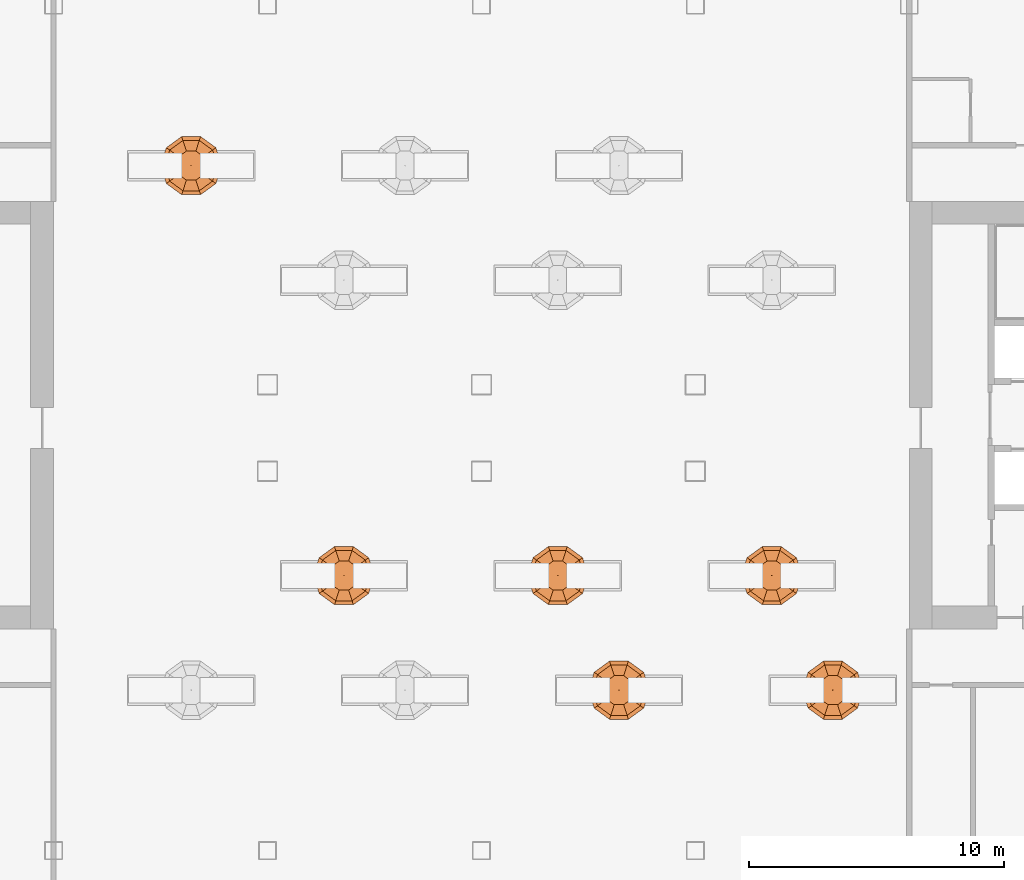
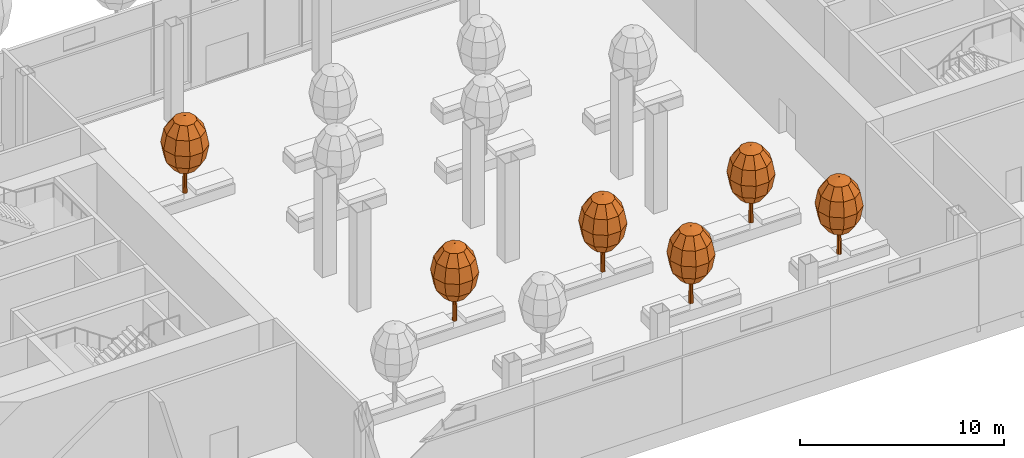
# One storey, part 39 of 43: 6 geographic elements.
"""IFC4 building model written with IfcOpenShell, lengths in metres."""

from ifc_helpers import new_model, si_unit, direction, frame, origin, place, context, subcontext, project, spatial, triangles, material, type_object, element, save


model = new_model("IFC4")

# Units and contexts
model_context = context("Model", 3, precision=1e-05, world=origin(), true_north=direction((0.0, 1.0)))
body_context = subcontext(model_context, "Body", "Model", "MODEL_VIEW")
ifc_project = project(units=[si_unit("LENGTHUNIT", "METRE"), si_unit("AREAUNIT", "SQUARE_METRE"), si_unit("VOLUMEUNIT", "CUBIC_METRE"), si_unit("PLANEANGLEUNIT", "RADIAN"), si_unit("MASSUNIT", "GRAM", prefix="KILO")], contexts=[model_context])

# Site, building, storey
site_placement = place(None, origin())
site = spatial("IfcSite", under=ifc_project, at=site_placement, CompositionType="ELEMENT")
building_placement = place(site_placement, origin())
building = spatial("IfcBuilding", under=site, at=building_placement, Name="Hakoniwa Tower and Hamabe Station Hall", CompositionType="ELEMENT")
storey_placement = place(building_placement, frame((0.0, 0.0, 124.60009765625)))
storey = spatial("IfcBuildingStorey", under=building, at=storey_placement, Name="L35", CompositionType="ELEMENT", Elevation=124.60009765625)

# Geographic elements
ifc_material = material(Name="Tree foliage")
geographic_element_type = type_object("IfcGeographicElementType", Name="Camellia 4.6 m", PredefinedType="USERDEFINED", material=ifc_material)
geographic_element_1_placement = place(storey_placement, frame((-11.39990234375, 9.800048828125, 0.599853515625)))
element("IfcGeographicElement", 1, at=geographic_element_1_placement, inside=storey, type_object=geographic_element_type, Name="Camellia 4-6 m", ObjectType="TREE", PredefinedType="USERDEFINED", context=body_context, shape_type="Tessellation", body=[
    triangles([(0.125, 0.0, 0.0), (0.08837890625, 0.08837890625, 0.0), (0.0, 0.125, 0.0), (-0.08837890625, 0.08837890625, 0.0), (-0.125, 0.0, 0.0), (-0.08837890625, -0.08837890625, 0.0), (0.0, -0.125, 0.0), (0.08837890625, -0.08837890625, 0.0), (0.074951171875, 0.0, 2.778564453125), (0.052978515625, 0.052978515625, 2.778564453125), (0.0, 0.074951171875, 2.778564453125), (-0.052978515625, 0.052978515625, 2.778564453125), (-0.074951171875, 0.0, 2.778564453125), (-0.052978515625, -0.052978515625, 2.778564453125), (0.0, -0.074951171875, 2.778564453125), (0.052978515625, -0.052978515625, 2.778564453125), (0.0, 0.0, 0.0), (0.0, 0.0, 2.778564453125)], [[1, 2, 10], [1, 10, 9], [17, 2, 1], [18, 9, 10], [2, 3, 11], [2, 11, 10], [17, 3, 2], [18, 10, 11], [3, 4, 12], [3, 12, 11], [17, 4, 3], [18, 11, 12], [4, 5, 13], [4, 13, 12], [17, 5, 4], [18, 12, 13], [5, 6, 14], [5, 14, 13], [17, 6, 5], [18, 13, 14], [6, 7, 15], [6, 15, 14], [17, 7, 6], [18, 14, 15], [7, 8, 16], [7, 16, 15], [17, 8, 7], [18, 15, 16], [8, 1, 9], [8, 9, 16], [17, 1, 8], [18, 16, 9]], closed=True),
    triangles([(0.0, 0.0, 1.2880859375), (0.599853515625, 0.0, 1.510009765625), (0.4853515625, 0.3525390625, 1.510009765625), (0.185302734375, 0.570556640625, 1.510009765625), (-0.185302734375, 0.570556640625, 1.510009765625), (-0.4853515625, 0.3525390625, 1.510009765625), (-0.599853515625, 0.0, 1.510009765625), (-0.4853515625, -0.3525390625, 1.510009765625), (-0.185302734375, -0.570556640625, 1.510009765625), (0.185302734375, -0.570556640625, 1.510009765625), (0.4853515625, -0.3525390625, 1.510009765625), (1.039306640625, 0.0, 2.115966796875), (0.8408203125, 0.61083984375, 2.115966796875), (0.321044921875, 0.98828125, 2.115966796875), (-0.321044921875, 0.98828125, 2.115966796875), (-0.8408203125, 0.61083984375, 2.115966796875), (-1.039306640625, 0.0, 2.115966796875), (-0.8408203125, -0.61083984375, 2.115966796875), (-0.321044921875, -0.98828125, 2.115966796875), (0.321044921875, -0.98828125, 2.115966796875), (0.8408203125, -0.61083984375, 2.115966796875), (1.199951171875, 0.0, 2.944091796875), (0.970703125, 0.705322265625, 2.944091796875), (0.370849609375, 1.14111328125, 2.944091796875), (-0.370849609375, 1.14111328125, 2.944091796875), (-0.970703125, 0.705322265625, 2.944091796875), (-1.199951171875, 0.0, 2.944091796875), (-0.970703125, -0.705322265625, 2.944091796875), (-0.370849609375, -1.14111328125, 2.944091796875), (0.370849609375, -1.14111328125, 2.944091796875), (0.970703125, -0.705322265625, 2.944091796875), (1.039306640625, 0.0, 3.77197265625), (0.8408203125, 0.61083984375, 3.77197265625), (0.321044921875, 0.98828125, 3.77197265625), (-0.321044921875, 0.98828125, 3.77197265625), (-0.8408203125, 0.61083984375, 3.77197265625), (-1.039306640625, 0.0, 3.77197265625), (-0.8408203125, -0.61083984375, 3.77197265625), (-0.321044921875, -0.98828125, 3.77197265625), (0.321044921875, -0.98828125, 3.77197265625), (0.8408203125, -0.61083984375, 3.77197265625), (0.599853515625, 0.0, 4.378173828125), (0.4853515625, 0.3525390625, 4.378173828125), (0.185302734375, 0.570556640625, 4.378173828125), (-0.185302734375, 0.570556640625, 4.378173828125), (-0.4853515625, 0.3525390625, 4.378173828125), (-0.599853515625, 0.0, 4.378173828125), (-0.4853515625, -0.3525390625, 4.378173828125), (-0.185302734375, -0.570556640625, 4.378173828125), (0.185302734375, -0.570556640625, 4.378173828125), (0.4853515625, -0.3525390625, 4.378173828125), (0.0, 0.0, 4.60009765625)], [[1, 3, 2], [1, 4, 3], [1, 5, 4], [1, 6, 5], [1, 7, 6], [1, 8, 7], [1, 9, 8], [1, 10, 9], [1, 11, 10], [1, 2, 11], [2, 3, 13], [2, 13, 12], [3, 4, 14], [3, 14, 13], [4, 5, 15], [4, 15, 14], [5, 6, 16], [5, 16, 15], [6, 7, 17], [6, 17, 16], [7, 8, 18], [7, 18, 17], [8, 9, 19], [8, 19, 18], [9, 10, 20], [9, 20, 19], [10, 11, 21], [10, 21, 20], [11, 2, 12], [11, 12, 21], [12, 13, 23], [12, 23, 22], [13, 14, 24], [13, 24, 23], [14, 15, 25], [14, 25, 24], [15, 16, 26], [15, 26, 25], [16, 17, 27], [16, 27, 26], [17, 18, 28], [17, 28, 27], [18, 19, 29], [18, 29, 28], [19, 20, 30], [19, 30, 29], [20, 21, 31], [20, 31, 30], [21, 12, 22], [21, 22, 31], [22, 23, 33], [22, 33, 32], [23, 24, 34], [23, 34, 33], [24, 25, 35], [24, 35, 34], [25, 26, 36], [25, 36, 35], [26, 27, 37], [26, 37, 36], [27, 28, 38], [27, 38, 37], [28, 29, 39], [28, 39, 38], [29, 30, 40], [29, 40, 39], [30, 31, 41], [30, 41, 40], [31, 22, 32], [31, 32, 41], [32, 33, 43], [32, 43, 42], [33, 34, 44], [33, 44, 43], [34, 35, 45], [34, 45, 44], [35, 36, 46], [35, 46, 45], [36, 37, 47], [36, 47, 46], [37, 38, 48], [37, 48, 47], [38, 39, 49], [38, 49, 48], [39, 40, 50], [39, 50, 49], [40, 41, 51], [40, 51, 50], [41, 32, 42], [41, 42, 51], [52, 42, 43], [52, 43, 44], [52, 44, 45], [52, 45, 46], [52, 46, 47], [52, 47, 48], [52, 48, 49], [52, 49, 50], [52, 50, 51], [52, 51, 42]], closed=True),
])
geographic_element_2_placement = place(storey_placement, frame((-5.39990234375, -6.300048828125, 0.599853515625)))
element("IfcGeographicElement", 2, at=geographic_element_2_placement, inside=storey, type_object=geographic_element_type, Name="Camellia 4-6 m", ObjectType="TREE", PredefinedType="USERDEFINED", context=body_context, shape_type="Tessellation", body=[
    triangles([(0.125, 0.0, 0.0), (0.08837890625, 0.08837890625, 0.0), (0.0, 0.125, 0.0), (-0.08837890625, 0.08837890625, 0.0), (-0.125, 0.0, 0.0), (-0.08837890625, -0.08837890625, 0.0), (0.0, -0.125, 0.0), (0.08837890625, -0.08837890625, 0.0), (0.074951171875, 0.0, 2.778564453125), (0.052978515625, 0.052978515625, 2.778564453125), (0.0, 0.074951171875, 2.778564453125), (-0.052978515625, 0.052978515625, 2.778564453125), (-0.074951171875, 0.0, 2.778564453125), (-0.052978515625, -0.052978515625, 2.778564453125), (0.0, -0.074951171875, 2.778564453125), (0.052978515625, -0.052978515625, 2.778564453125), (0.0, 0.0, 0.0), (0.0, 0.0, 2.778564453125)], [[1, 2, 10], [1, 10, 9], [17, 2, 1], [18, 9, 10], [2, 3, 11], [2, 11, 10], [17, 3, 2], [18, 10, 11], [3, 4, 12], [3, 12, 11], [17, 4, 3], [18, 11, 12], [4, 5, 13], [4, 13, 12], [17, 5, 4], [18, 12, 13], [5, 6, 14], [5, 14, 13], [17, 6, 5], [18, 13, 14], [6, 7, 15], [6, 15, 14], [17, 7, 6], [18, 14, 15], [7, 8, 16], [7, 16, 15], [17, 8, 7], [18, 15, 16], [8, 1, 9], [8, 9, 16], [17, 1, 8], [18, 16, 9]], closed=True),
    triangles([(0.0, 0.0, 1.2880859375), (0.599853515625, 0.0, 1.510009765625), (0.4853515625, 0.3525390625, 1.510009765625), (0.185302734375, 0.570556640625, 1.510009765625), (-0.185302734375, 0.570556640625, 1.510009765625), (-0.4853515625, 0.3525390625, 1.510009765625), (-0.599853515625, 0.0, 1.510009765625), (-0.4853515625, -0.3525390625, 1.510009765625), (-0.185302734375, -0.570556640625, 1.510009765625), (0.185302734375, -0.570556640625, 1.510009765625), (0.4853515625, -0.3525390625, 1.510009765625), (1.039306640625, 0.0, 2.115966796875), (0.8408203125, 0.61083984375, 2.115966796875), (0.321044921875, 0.98828125, 2.115966796875), (-0.321044921875, 0.98828125, 2.115966796875), (-0.8408203125, 0.61083984375, 2.115966796875), (-1.039306640625, 0.0, 2.115966796875), (-0.8408203125, -0.61083984375, 2.115966796875), (-0.321044921875, -0.98828125, 2.115966796875), (0.321044921875, -0.98828125, 2.115966796875), (0.8408203125, -0.61083984375, 2.115966796875), (1.199951171875, 0.0, 2.944091796875), (0.970703125, 0.705322265625, 2.944091796875), (0.370849609375, 1.14111328125, 2.944091796875), (-0.370849609375, 1.14111328125, 2.944091796875), (-0.970703125, 0.705322265625, 2.944091796875), (-1.199951171875, 0.0, 2.944091796875), (-0.970703125, -0.705322265625, 2.944091796875), (-0.370849609375, -1.14111328125, 2.944091796875), (0.370849609375, -1.14111328125, 2.944091796875), (0.970703125, -0.705322265625, 2.944091796875), (1.039306640625, 0.0, 3.77197265625), (0.8408203125, 0.61083984375, 3.77197265625), (0.321044921875, 0.98828125, 3.77197265625), (-0.321044921875, 0.98828125, 3.77197265625), (-0.8408203125, 0.61083984375, 3.77197265625), (-1.039306640625, 0.0, 3.77197265625), (-0.8408203125, -0.61083984375, 3.77197265625), (-0.321044921875, -0.98828125, 3.77197265625), (0.321044921875, -0.98828125, 3.77197265625), (0.8408203125, -0.61083984375, 3.77197265625), (0.599853515625, 0.0, 4.378173828125), (0.4853515625, 0.3525390625, 4.378173828125), (0.185302734375, 0.570556640625, 4.378173828125), (-0.185302734375, 0.570556640625, 4.378173828125), (-0.4853515625, 0.3525390625, 4.378173828125), (-0.599853515625, 0.0, 4.378173828125), (-0.4853515625, -0.3525390625, 4.378173828125), (-0.185302734375, -0.570556640625, 4.378173828125), (0.185302734375, -0.570556640625, 4.378173828125), (0.4853515625, -0.3525390625, 4.378173828125), (0.0, 0.0, 4.60009765625)], [[1, 3, 2], [1, 4, 3], [1, 5, 4], [1, 6, 5], [1, 7, 6], [1, 8, 7], [1, 9, 8], [1, 10, 9], [1, 11, 10], [1, 2, 11], [2, 3, 13], [2, 13, 12], [3, 4, 14], [3, 14, 13], [4, 5, 15], [4, 15, 14], [5, 6, 16], [5, 16, 15], [6, 7, 17], [6, 17, 16], [7, 8, 18], [7, 18, 17], [8, 9, 19], [8, 19, 18], [9, 10, 20], [9, 20, 19], [10, 11, 21], [10, 21, 20], [11, 2, 12], [11, 12, 21], [12, 13, 23], [12, 23, 22], [13, 14, 24], [13, 24, 23], [14, 15, 25], [14, 25, 24], [15, 16, 26], [15, 26, 25], [16, 17, 27], [16, 27, 26], [17, 18, 28], [17, 28, 27], [18, 19, 29], [18, 29, 28], [19, 20, 30], [19, 30, 29], [20, 21, 31], [20, 31, 30], [21, 12, 22], [21, 22, 31], [22, 23, 33], [22, 33, 32], [23, 24, 34], [23, 34, 33], [24, 25, 35], [24, 35, 34], [25, 26, 36], [25, 36, 35], [26, 27, 37], [26, 37, 36], [27, 28, 38], [27, 38, 37], [28, 29, 39], [28, 39, 38], [29, 30, 40], [29, 40, 39], [30, 31, 41], [30, 41, 40], [31, 22, 32], [31, 32, 41], [32, 33, 43], [32, 43, 42], [33, 34, 44], [33, 44, 43], [34, 35, 45], [34, 45, 44], [35, 36, 46], [35, 46, 45], [36, 37, 47], [36, 47, 46], [37, 38, 48], [37, 48, 47], [38, 39, 49], [38, 49, 48], [39, 40, 50], [39, 50, 49], [40, 41, 51], [40, 51, 50], [41, 32, 42], [41, 42, 51], [52, 42, 43], [52, 43, 44], [52, 44, 45], [52, 45, 46], [52, 46, 47], [52, 47, 48], [52, 48, 49], [52, 49, 50], [52, 50, 51], [52, 51, 42]], closed=True),
])
geographic_element_3_placement = place(storey_placement, frame((3.0, -6.300048828125, 0.599853515625)))
element("IfcGeographicElement", 3, at=geographic_element_3_placement, inside=storey, type_object=geographic_element_type, Name="Camellia 4-6 m", ObjectType="TREE", PredefinedType="USERDEFINED", context=body_context, shape_type="Tessellation", body=[
    triangles([(0.125, 0.0, 0.0), (0.08837890625, 0.08837890625, 0.0), (0.0, 0.125, 0.0), (-0.08837890625, 0.08837890625, 0.0), (-0.125, 0.0, 0.0), (-0.08837890625, -0.08837890625, 0.0), (0.0, -0.125, 0.0), (0.08837890625, -0.08837890625, 0.0), (0.074951171875, 0.0, 2.778564453125), (0.052978515625, 0.052978515625, 2.778564453125), (0.0, 0.074951171875, 2.778564453125), (-0.052978515625, 0.052978515625, 2.778564453125), (-0.074951171875, 0.0, 2.778564453125), (-0.052978515625, -0.052978515625, 2.778564453125), (0.0, -0.074951171875, 2.778564453125), (0.052978515625, -0.052978515625, 2.778564453125), (0.0, 0.0, 0.0), (0.0, 0.0, 2.778564453125)], [[1, 2, 10], [1, 10, 9], [17, 2, 1], [18, 9, 10], [2, 3, 11], [2, 11, 10], [17, 3, 2], [18, 10, 11], [3, 4, 12], [3, 12, 11], [17, 4, 3], [18, 11, 12], [4, 5, 13], [4, 13, 12], [17, 5, 4], [18, 12, 13], [5, 6, 14], [5, 14, 13], [17, 6, 5], [18, 13, 14], [6, 7, 15], [6, 15, 14], [17, 7, 6], [18, 14, 15], [7, 8, 16], [7, 16, 15], [17, 8, 7], [18, 15, 16], [8, 1, 9], [8, 9, 16], [17, 1, 8], [18, 16, 9]], closed=True),
    triangles([(0.0, 0.0, 1.2880859375), (0.599853515625, 0.0, 1.510009765625), (0.4853515625, 0.3525390625, 1.510009765625), (0.185302734375, 0.570556640625, 1.510009765625), (-0.185302734375, 0.570556640625, 1.510009765625), (-0.4853515625, 0.3525390625, 1.510009765625), (-0.599853515625, 0.0, 1.510009765625), (-0.4853515625, -0.3525390625, 1.510009765625), (-0.185302734375, -0.570556640625, 1.510009765625), (0.185302734375, -0.570556640625, 1.510009765625), (0.4853515625, -0.3525390625, 1.510009765625), (1.039306640625, 0.0, 2.115966796875), (0.8408203125, 0.61083984375, 2.115966796875), (0.321044921875, 0.98828125, 2.115966796875), (-0.321044921875, 0.98828125, 2.115966796875), (-0.8408203125, 0.61083984375, 2.115966796875), (-1.039306640625, 0.0, 2.115966796875), (-0.8408203125, -0.61083984375, 2.115966796875), (-0.321044921875, -0.98828125, 2.115966796875), (0.321044921875, -0.98828125, 2.115966796875), (0.8408203125, -0.61083984375, 2.115966796875), (1.199951171875, 0.0, 2.944091796875), (0.970703125, 0.705322265625, 2.944091796875), (0.370849609375, 1.14111328125, 2.944091796875), (-0.370849609375, 1.14111328125, 2.944091796875), (-0.970703125, 0.705322265625, 2.944091796875), (-1.199951171875, 0.0, 2.944091796875), (-0.970703125, -0.705322265625, 2.944091796875), (-0.370849609375, -1.14111328125, 2.944091796875), (0.370849609375, -1.14111328125, 2.944091796875), (0.970703125, -0.705322265625, 2.944091796875), (1.039306640625, 0.0, 3.77197265625), (0.8408203125, 0.61083984375, 3.77197265625), (0.321044921875, 0.98828125, 3.77197265625), (-0.321044921875, 0.98828125, 3.77197265625), (-0.8408203125, 0.61083984375, 3.77197265625), (-1.039306640625, 0.0, 3.77197265625), (-0.8408203125, -0.61083984375, 3.77197265625), (-0.321044921875, -0.98828125, 3.77197265625), (0.321044921875, -0.98828125, 3.77197265625), (0.8408203125, -0.61083984375, 3.77197265625), (0.599853515625, 0.0, 4.378173828125), (0.4853515625, 0.3525390625, 4.378173828125), (0.185302734375, 0.570556640625, 4.378173828125), (-0.185302734375, 0.570556640625, 4.378173828125), (-0.4853515625, 0.3525390625, 4.378173828125), (-0.599853515625, 0.0, 4.378173828125), (-0.4853515625, -0.3525390625, 4.378173828125), (-0.185302734375, -0.570556640625, 4.378173828125), (0.185302734375, -0.570556640625, 4.378173828125), (0.4853515625, -0.3525390625, 4.378173828125), (0.0, 0.0, 4.60009765625)], [[1, 3, 2], [1, 4, 3], [1, 5, 4], [1, 6, 5], [1, 7, 6], [1, 8, 7], [1, 9, 8], [1, 10, 9], [1, 11, 10], [1, 2, 11], [2, 3, 13], [2, 13, 12], [3, 4, 14], [3, 14, 13], [4, 5, 15], [4, 15, 14], [5, 6, 16], [5, 16, 15], [6, 7, 17], [6, 17, 16], [7, 8, 18], [7, 18, 17], [8, 9, 19], [8, 19, 18], [9, 10, 20], [9, 20, 19], [10, 11, 21], [10, 21, 20], [11, 2, 12], [11, 12, 21], [12, 13, 23], [12, 23, 22], [13, 14, 24], [13, 24, 23], [14, 15, 25], [14, 25, 24], [15, 16, 26], [15, 26, 25], [16, 17, 27], [16, 27, 26], [17, 18, 28], [17, 28, 27], [18, 19, 29], [18, 29, 28], [19, 20, 30], [19, 30, 29], [20, 21, 31], [20, 31, 30], [21, 12, 22], [21, 22, 31], [22, 23, 33], [22, 33, 32], [23, 24, 34], [23, 34, 33], [24, 25, 35], [24, 35, 34], [25, 26, 36], [25, 36, 35], [26, 27, 37], [26, 37, 36], [27, 28, 38], [27, 38, 37], [28, 29, 39], [28, 39, 38], [29, 30, 40], [29, 40, 39], [30, 31, 41], [30, 41, 40], [31, 22, 32], [31, 32, 41], [32, 33, 43], [32, 43, 42], [33, 34, 44], [33, 44, 43], [34, 35, 45], [34, 45, 44], [35, 36, 46], [35, 46, 45], [36, 37, 47], [36, 47, 46], [37, 38, 48], [37, 48, 47], [38, 39, 49], [38, 49, 48], [39, 40, 50], [39, 50, 49], [40, 41, 51], [40, 51, 50], [41, 32, 42], [41, 42, 51], [52, 42, 43], [52, 43, 44], [52, 44, 45], [52, 45, 46], [52, 46, 47], [52, 47, 48], [52, 48, 49], [52, 49, 50], [52, 50, 51], [52, 51, 42]], closed=True),
])
geographic_element_4_placement = place(storey_placement, frame((11.39990234375, -6.300048828125, 0.599853515625)))
element("IfcGeographicElement", 4, at=geographic_element_4_placement, inside=storey, type_object=geographic_element_type, Name="Camellia 4-6 m", ObjectType="TREE", PredefinedType="USERDEFINED", context=body_context, shape_type="Tessellation", body=[
    triangles([(0.125, 0.0, 0.0), (0.08837890625, 0.08837890625, 0.0), (0.0, 0.125, 0.0), (-0.08837890625, 0.08837890625, 0.0), (-0.125, 0.0, 0.0), (-0.08837890625, -0.08837890625, 0.0), (0.0, -0.125, 0.0), (0.08837890625, -0.08837890625, 0.0), (0.074951171875, 0.0, 2.778564453125), (0.052978515625, 0.052978515625, 2.778564453125), (0.0, 0.074951171875, 2.778564453125), (-0.052978515625, 0.052978515625, 2.778564453125), (-0.074951171875, 0.0, 2.778564453125), (-0.052978515625, -0.052978515625, 2.778564453125), (0.0, -0.074951171875, 2.778564453125), (0.052978515625, -0.052978515625, 2.778564453125), (0.0, 0.0, 0.0), (0.0, 0.0, 2.778564453125)], [[1, 2, 10], [1, 10, 9], [17, 2, 1], [18, 9, 10], [2, 3, 11], [2, 11, 10], [17, 3, 2], [18, 10, 11], [3, 4, 12], [3, 12, 11], [17, 4, 3], [18, 11, 12], [4, 5, 13], [4, 13, 12], [17, 5, 4], [18, 12, 13], [5, 6, 14], [5, 14, 13], [17, 6, 5], [18, 13, 14], [6, 7, 15], [6, 15, 14], [17, 7, 6], [18, 14, 15], [7, 8, 16], [7, 16, 15], [17, 8, 7], [18, 15, 16], [8, 1, 9], [8, 9, 16], [17, 1, 8], [18, 16, 9]], closed=True),
    triangles([(0.0, 0.0, 1.2880859375), (0.599853515625, 0.0, 1.510009765625), (0.4853515625, 0.3525390625, 1.510009765625), (0.185302734375, 0.570556640625, 1.510009765625), (-0.185302734375, 0.570556640625, 1.510009765625), (-0.4853515625, 0.3525390625, 1.510009765625), (-0.599853515625, 0.0, 1.510009765625), (-0.4853515625, -0.3525390625, 1.510009765625), (-0.185302734375, -0.570556640625, 1.510009765625), (0.185302734375, -0.570556640625, 1.510009765625), (0.4853515625, -0.3525390625, 1.510009765625), (1.039306640625, 0.0, 2.115966796875), (0.8408203125, 0.61083984375, 2.115966796875), (0.321044921875, 0.98828125, 2.115966796875), (-0.321044921875, 0.98828125, 2.115966796875), (-0.8408203125, 0.61083984375, 2.115966796875), (-1.039306640625, 0.0, 2.115966796875), (-0.8408203125, -0.61083984375, 2.115966796875), (-0.321044921875, -0.98828125, 2.115966796875), (0.321044921875, -0.98828125, 2.115966796875), (0.8408203125, -0.61083984375, 2.115966796875), (1.199951171875, 0.0, 2.944091796875), (0.970703125, 0.705322265625, 2.944091796875), (0.370849609375, 1.14111328125, 2.944091796875), (-0.370849609375, 1.14111328125, 2.944091796875), (-0.970703125, 0.705322265625, 2.944091796875), (-1.199951171875, 0.0, 2.944091796875), (-0.970703125, -0.705322265625, 2.944091796875), (-0.370849609375, -1.14111328125, 2.944091796875), (0.370849609375, -1.14111328125, 2.944091796875), (0.970703125, -0.705322265625, 2.944091796875), (1.039306640625, 0.0, 3.77197265625), (0.8408203125, 0.61083984375, 3.77197265625), (0.321044921875, 0.98828125, 3.77197265625), (-0.321044921875, 0.98828125, 3.77197265625), (-0.8408203125, 0.61083984375, 3.77197265625), (-1.039306640625, 0.0, 3.77197265625), (-0.8408203125, -0.61083984375, 3.77197265625), (-0.321044921875, -0.98828125, 3.77197265625), (0.321044921875, -0.98828125, 3.77197265625), (0.8408203125, -0.61083984375, 3.77197265625), (0.599853515625, 0.0, 4.378173828125), (0.4853515625, 0.3525390625, 4.378173828125), (0.185302734375, 0.570556640625, 4.378173828125), (-0.185302734375, 0.570556640625, 4.378173828125), (-0.4853515625, 0.3525390625, 4.378173828125), (-0.599853515625, 0.0, 4.378173828125), (-0.4853515625, -0.3525390625, 4.378173828125), (-0.185302734375, -0.570556640625, 4.378173828125), (0.185302734375, -0.570556640625, 4.378173828125), (0.4853515625, -0.3525390625, 4.378173828125), (0.0, 0.0, 4.60009765625)], [[1, 3, 2], [1, 4, 3], [1, 5, 4], [1, 6, 5], [1, 7, 6], [1, 8, 7], [1, 9, 8], [1, 10, 9], [1, 11, 10], [1, 2, 11], [2, 3, 13], [2, 13, 12], [3, 4, 14], [3, 14, 13], [4, 5, 15], [4, 15, 14], [5, 6, 16], [5, 16, 15], [6, 7, 17], [6, 17, 16], [7, 8, 18], [7, 18, 17], [8, 9, 19], [8, 19, 18], [9, 10, 20], [9, 20, 19], [10, 11, 21], [10, 21, 20], [11, 2, 12], [11, 12, 21], [12, 13, 23], [12, 23, 22], [13, 14, 24], [13, 24, 23], [14, 15, 25], [14, 25, 24], [15, 16, 26], [15, 26, 25], [16, 17, 27], [16, 27, 26], [17, 18, 28], [17, 28, 27], [18, 19, 29], [18, 29, 28], [19, 20, 30], [19, 30, 29], [20, 21, 31], [20, 31, 30], [21, 12, 22], [21, 22, 31], [22, 23, 33], [22, 33, 32], [23, 24, 34], [23, 34, 33], [24, 25, 35], [24, 35, 34], [25, 26, 36], [25, 36, 35], [26, 27, 37], [26, 37, 36], [27, 28, 38], [27, 38, 37], [28, 29, 39], [28, 39, 38], [29, 30, 40], [29, 40, 39], [30, 31, 41], [30, 41, 40], [31, 22, 32], [31, 32, 41], [32, 33, 43], [32, 43, 42], [33, 34, 44], [33, 44, 43], [34, 35, 45], [34, 45, 44], [35, 36, 46], [35, 46, 45], [36, 37, 47], [36, 47, 46], [37, 38, 48], [37, 48, 47], [38, 39, 49], [38, 49, 48], [39, 40, 50], [39, 50, 49], [40, 41, 51], [40, 51, 50], [41, 32, 42], [41, 42, 51], [52, 42, 43], [52, 43, 44], [52, 44, 45], [52, 45, 46], [52, 46, 47], [52, 47, 48], [52, 48, 49], [52, 49, 50], [52, 50, 51], [52, 51, 42]], closed=True),
])
geographic_element_5_placement = place(storey_placement, frame((5.39990234375, -10.800048828125, 0.599853515625)))
element("IfcGeographicElement", 5, at=geographic_element_5_placement, inside=storey, type_object=geographic_element_type, Name="Camellia 4-6 m", ObjectType="TREE", PredefinedType="USERDEFINED", context=body_context, shape_type="Tessellation", body=[
    triangles([(0.125, 0.0, 0.0), (0.08837890625, 0.08837890625, 0.0), (0.0, 0.125, 0.0), (-0.08837890625, 0.08837890625, 0.0), (-0.125, 0.0, 0.0), (-0.08837890625, -0.08837890625, 0.0), (0.0, -0.125, 0.0), (0.08837890625, -0.08837890625, 0.0), (0.074951171875, 0.0, 2.778564453125), (0.052978515625, 0.052978515625, 2.778564453125), (0.0, 0.074951171875, 2.778564453125), (-0.052978515625, 0.052978515625, 2.778564453125), (-0.074951171875, 0.0, 2.778564453125), (-0.052978515625, -0.052978515625, 2.778564453125), (0.0, -0.074951171875, 2.778564453125), (0.052978515625, -0.052978515625, 2.778564453125), (0.0, 0.0, 0.0), (0.0, 0.0, 2.778564453125)], [[1, 2, 10], [1, 10, 9], [17, 2, 1], [18, 9, 10], [2, 3, 11], [2, 11, 10], [17, 3, 2], [18, 10, 11], [3, 4, 12], [3, 12, 11], [17, 4, 3], [18, 11, 12], [4, 5, 13], [4, 13, 12], [17, 5, 4], [18, 12, 13], [5, 6, 14], [5, 14, 13], [17, 6, 5], [18, 13, 14], [6, 7, 15], [6, 15, 14], [17, 7, 6], [18, 14, 15], [7, 8, 16], [7, 16, 15], [17, 8, 7], [18, 15, 16], [8, 1, 9], [8, 9, 16], [17, 1, 8], [18, 16, 9]], closed=True),
    triangles([(0.0, 0.0, 1.2880859375), (0.599853515625, 0.0, 1.510009765625), (0.4853515625, 0.3525390625, 1.510009765625), (0.185302734375, 0.570556640625, 1.510009765625), (-0.185302734375, 0.570556640625, 1.510009765625), (-0.4853515625, 0.3525390625, 1.510009765625), (-0.599853515625, 0.0, 1.510009765625), (-0.4853515625, -0.3525390625, 1.510009765625), (-0.185302734375, -0.570556640625, 1.510009765625), (0.185302734375, -0.570556640625, 1.510009765625), (0.4853515625, -0.3525390625, 1.510009765625), (1.039306640625, 0.0, 2.115966796875), (0.8408203125, 0.61083984375, 2.115966796875), (0.321044921875, 0.98828125, 2.115966796875), (-0.321044921875, 0.98828125, 2.115966796875), (-0.8408203125, 0.61083984375, 2.115966796875), (-1.039306640625, 0.0, 2.115966796875), (-0.8408203125, -0.61083984375, 2.115966796875), (-0.321044921875, -0.98828125, 2.115966796875), (0.321044921875, -0.98828125, 2.115966796875), (0.8408203125, -0.61083984375, 2.115966796875), (1.199951171875, 0.0, 2.944091796875), (0.970703125, 0.705322265625, 2.944091796875), (0.370849609375, 1.14111328125, 2.944091796875), (-0.370849609375, 1.14111328125, 2.944091796875), (-0.970703125, 0.705322265625, 2.944091796875), (-1.199951171875, 0.0, 2.944091796875), (-0.970703125, -0.705322265625, 2.944091796875), (-0.370849609375, -1.14111328125, 2.944091796875), (0.370849609375, -1.14111328125, 2.944091796875), (0.970703125, -0.705322265625, 2.944091796875), (1.039306640625, 0.0, 3.77197265625), (0.8408203125, 0.61083984375, 3.77197265625), (0.321044921875, 0.98828125, 3.77197265625), (-0.321044921875, 0.98828125, 3.77197265625), (-0.8408203125, 0.61083984375, 3.77197265625), (-1.039306640625, 0.0, 3.77197265625), (-0.8408203125, -0.61083984375, 3.77197265625), (-0.321044921875, -0.98828125, 3.77197265625), (0.321044921875, -0.98828125, 3.77197265625), (0.8408203125, -0.61083984375, 3.77197265625), (0.599853515625, 0.0, 4.378173828125), (0.4853515625, 0.3525390625, 4.378173828125), (0.185302734375, 0.570556640625, 4.378173828125), (-0.185302734375, 0.570556640625, 4.378173828125), (-0.4853515625, 0.3525390625, 4.378173828125), (-0.599853515625, 0.0, 4.378173828125), (-0.4853515625, -0.3525390625, 4.378173828125), (-0.185302734375, -0.570556640625, 4.378173828125), (0.185302734375, -0.570556640625, 4.378173828125), (0.4853515625, -0.3525390625, 4.378173828125), (0.0, 0.0, 4.60009765625)], [[1, 3, 2], [1, 4, 3], [1, 5, 4], [1, 6, 5], [1, 7, 6], [1, 8, 7], [1, 9, 8], [1, 10, 9], [1, 11, 10], [1, 2, 11], [2, 3, 13], [2, 13, 12], [3, 4, 14], [3, 14, 13], [4, 5, 15], [4, 15, 14], [5, 6, 16], [5, 16, 15], [6, 7, 17], [6, 17, 16], [7, 8, 18], [7, 18, 17], [8, 9, 19], [8, 19, 18], [9, 10, 20], [9, 20, 19], [10, 11, 21], [10, 21, 20], [11, 2, 12], [11, 12, 21], [12, 13, 23], [12, 23, 22], [13, 14, 24], [13, 24, 23], [14, 15, 25], [14, 25, 24], [15, 16, 26], [15, 26, 25], [16, 17, 27], [16, 27, 26], [17, 18, 28], [17, 28, 27], [18, 19, 29], [18, 29, 28], [19, 20, 30], [19, 30, 29], [20, 21, 31], [20, 31, 30], [21, 12, 22], [21, 22, 31], [22, 23, 33], [22, 33, 32], [23, 24, 34], [23, 34, 33], [24, 25, 35], [24, 35, 34], [25, 26, 36], [25, 36, 35], [26, 27, 37], [26, 37, 36], [27, 28, 38], [27, 38, 37], [28, 29, 39], [28, 39, 38], [29, 30, 40], [29, 40, 39], [30, 31, 41], [30, 41, 40], [31, 22, 32], [31, 32, 41], [32, 33, 43], [32, 43, 42], [33, 34, 44], [33, 44, 43], [34, 35, 45], [34, 45, 44], [35, 36, 46], [35, 46, 45], [36, 37, 47], [36, 47, 46], [37, 38, 48], [37, 48, 47], [38, 39, 49], [38, 49, 48], [39, 40, 50], [39, 50, 49], [40, 41, 51], [40, 51, 50], [41, 32, 42], [41, 42, 51], [52, 42, 43], [52, 43, 44], [52, 44, 45], [52, 45, 46], [52, 46, 47], [52, 47, 48], [52, 48, 49], [52, 49, 50], [52, 50, 51], [52, 51, 42]], closed=True),
])
geographic_element_6_placement = place(storey_placement, frame((13.800048828125, -10.800048828125, 0.599853515625)))
element("IfcGeographicElement", 6, at=geographic_element_6_placement, inside=storey, type_object=geographic_element_type, Name="Camellia 4-6 m", ObjectType="TREE", PredefinedType="USERDEFINED", context=body_context, shape_type="Tessellation", body=[
    triangles([(0.125, 0.0, 0.0), (0.08837890625, 0.08837890625, 0.0), (0.0, 0.125, 0.0), (-0.08837890625, 0.08837890625, 0.0), (-0.125, 0.0, 0.0), (-0.08837890625, -0.08837890625, 0.0), (0.0, -0.125, 0.0), (0.08837890625, -0.08837890625, 0.0), (0.074951171875, 0.0, 2.778564453125), (0.052978515625, 0.052978515625, 2.778564453125), (0.0, 0.074951171875, 2.778564453125), (-0.052978515625, 0.052978515625, 2.778564453125), (-0.074951171875, 0.0, 2.778564453125), (-0.052978515625, -0.052978515625, 2.778564453125), (0.0, -0.074951171875, 2.778564453125), (0.052978515625, -0.052978515625, 2.778564453125), (0.0, 0.0, 0.0), (0.0, 0.0, 2.778564453125)], [[1, 2, 10], [1, 10, 9], [17, 2, 1], [18, 9, 10], [2, 3, 11], [2, 11, 10], [17, 3, 2], [18, 10, 11], [3, 4, 12], [3, 12, 11], [17, 4, 3], [18, 11, 12], [4, 5, 13], [4, 13, 12], [17, 5, 4], [18, 12, 13], [5, 6, 14], [5, 14, 13], [17, 6, 5], [18, 13, 14], [6, 7, 15], [6, 15, 14], [17, 7, 6], [18, 14, 15], [7, 8, 16], [7, 16, 15], [17, 8, 7], [18, 15, 16], [8, 1, 9], [8, 9, 16], [17, 1, 8], [18, 16, 9]], closed=True),
    triangles([(0.0, 0.0, 1.2880859375), (0.599853515625, 0.0, 1.510009765625), (0.4853515625, 0.3525390625, 1.510009765625), (0.185302734375, 0.570556640625, 1.510009765625), (-0.185302734375, 0.570556640625, 1.510009765625), (-0.4853515625, 0.3525390625, 1.510009765625), (-0.599853515625, 0.0, 1.510009765625), (-0.4853515625, -0.3525390625, 1.510009765625), (-0.185302734375, -0.570556640625, 1.510009765625), (0.185302734375, -0.570556640625, 1.510009765625), (0.4853515625, -0.3525390625, 1.510009765625), (1.039306640625, 0.0, 2.115966796875), (0.8408203125, 0.61083984375, 2.115966796875), (0.321044921875, 0.98828125, 2.115966796875), (-0.321044921875, 0.98828125, 2.115966796875), (-0.8408203125, 0.61083984375, 2.115966796875), (-1.039306640625, 0.0, 2.115966796875), (-0.8408203125, -0.61083984375, 2.115966796875), (-0.321044921875, -0.98828125, 2.115966796875), (0.321044921875, -0.98828125, 2.115966796875), (0.8408203125, -0.61083984375, 2.115966796875), (1.199951171875, 0.0, 2.944091796875), (0.970703125, 0.705322265625, 2.944091796875), (0.370849609375, 1.14111328125, 2.944091796875), (-0.370849609375, 1.14111328125, 2.944091796875), (-0.970703125, 0.705322265625, 2.944091796875), (-1.199951171875, 0.0, 2.944091796875), (-0.970703125, -0.705322265625, 2.944091796875), (-0.370849609375, -1.14111328125, 2.944091796875), (0.370849609375, -1.14111328125, 2.944091796875), (0.970703125, -0.705322265625, 2.944091796875), (1.039306640625, 0.0, 3.77197265625), (0.8408203125, 0.61083984375, 3.77197265625), (0.321044921875, 0.98828125, 3.77197265625), (-0.321044921875, 0.98828125, 3.77197265625), (-0.8408203125, 0.61083984375, 3.77197265625), (-1.039306640625, 0.0, 3.77197265625), (-0.8408203125, -0.61083984375, 3.77197265625), (-0.321044921875, -0.98828125, 3.77197265625), (0.321044921875, -0.98828125, 3.77197265625), (0.8408203125, -0.61083984375, 3.77197265625), (0.599853515625, 0.0, 4.378173828125), (0.4853515625, 0.3525390625, 4.378173828125), (0.185302734375, 0.570556640625, 4.378173828125), (-0.185302734375, 0.570556640625, 4.378173828125), (-0.4853515625, 0.3525390625, 4.378173828125), (-0.599853515625, 0.0, 4.378173828125), (-0.4853515625, -0.3525390625, 4.378173828125), (-0.185302734375, -0.570556640625, 4.378173828125), (0.185302734375, -0.570556640625, 4.378173828125), (0.4853515625, -0.3525390625, 4.378173828125), (0.0, 0.0, 4.60009765625)], [[1, 3, 2], [1, 4, 3], [1, 5, 4], [1, 6, 5], [1, 7, 6], [1, 8, 7], [1, 9, 8], [1, 10, 9], [1, 11, 10], [1, 2, 11], [2, 3, 13], [2, 13, 12], [3, 4, 14], [3, 14, 13], [4, 5, 15], [4, 15, 14], [5, 6, 16], [5, 16, 15], [6, 7, 17], [6, 17, 16], [7, 8, 18], [7, 18, 17], [8, 9, 19], [8, 19, 18], [9, 10, 20], [9, 20, 19], [10, 11, 21], [10, 21, 20], [11, 2, 12], [11, 12, 21], [12, 13, 23], [12, 23, 22], [13, 14, 24], [13, 24, 23], [14, 15, 25], [14, 25, 24], [15, 16, 26], [15, 26, 25], [16, 17, 27], [16, 27, 26], [17, 18, 28], [17, 28, 27], [18, 19, 29], [18, 29, 28], [19, 20, 30], [19, 30, 29], [20, 21, 31], [20, 31, 30], [21, 12, 22], [21, 22, 31], [22, 23, 33], [22, 33, 32], [23, 24, 34], [23, 34, 33], [24, 25, 35], [24, 35, 34], [25, 26, 36], [25, 36, 35], [26, 27, 37], [26, 37, 36], [27, 28, 38], [27, 38, 37], [28, 29, 39], [28, 39, 38], [29, 30, 40], [29, 40, 39], [30, 31, 41], [30, 41, 40], [31, 22, 32], [31, 32, 41], [32, 33, 43], [32, 43, 42], [33, 34, 44], [33, 44, 43], [34, 35, 45], [34, 45, 44], [35, 36, 46], [35, 46, 45], [36, 37, 47], [36, 47, 46], [37, 38, 48], [37, 48, 47], [38, 39, 49], [38, 49, 48], [39, 40, 50], [39, 50, 49], [40, 41, 51], [40, 51, 50], [41, 32, 42], [41, 42, 51], [52, 42, 43], [52, 43, 44], [52, 44, 45], [52, 45, 46], [52, 46, 47], [52, 47, 48], [52, 48, 49], [52, 49, 50], [52, 50, 51], [52, 51, 42]], closed=True),
])

save(model, "model.ifc")
